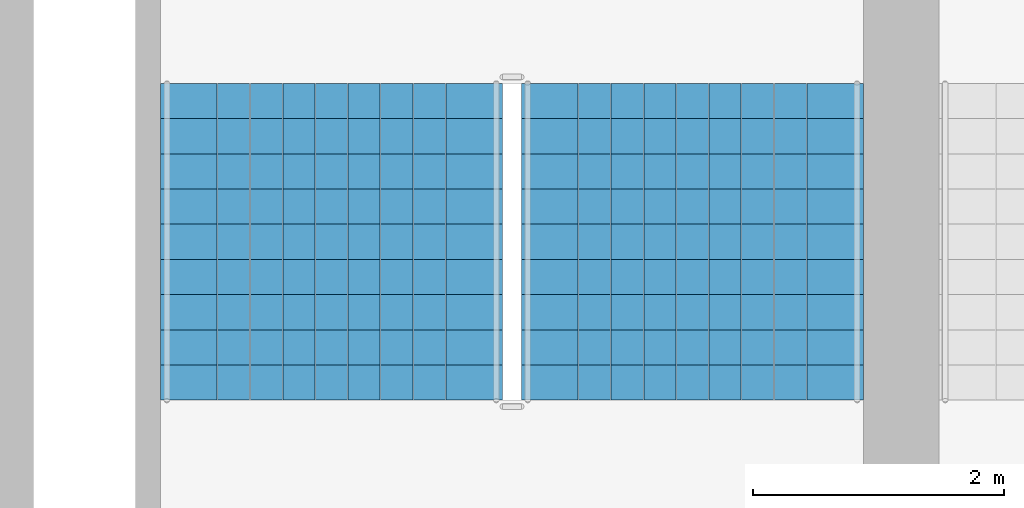
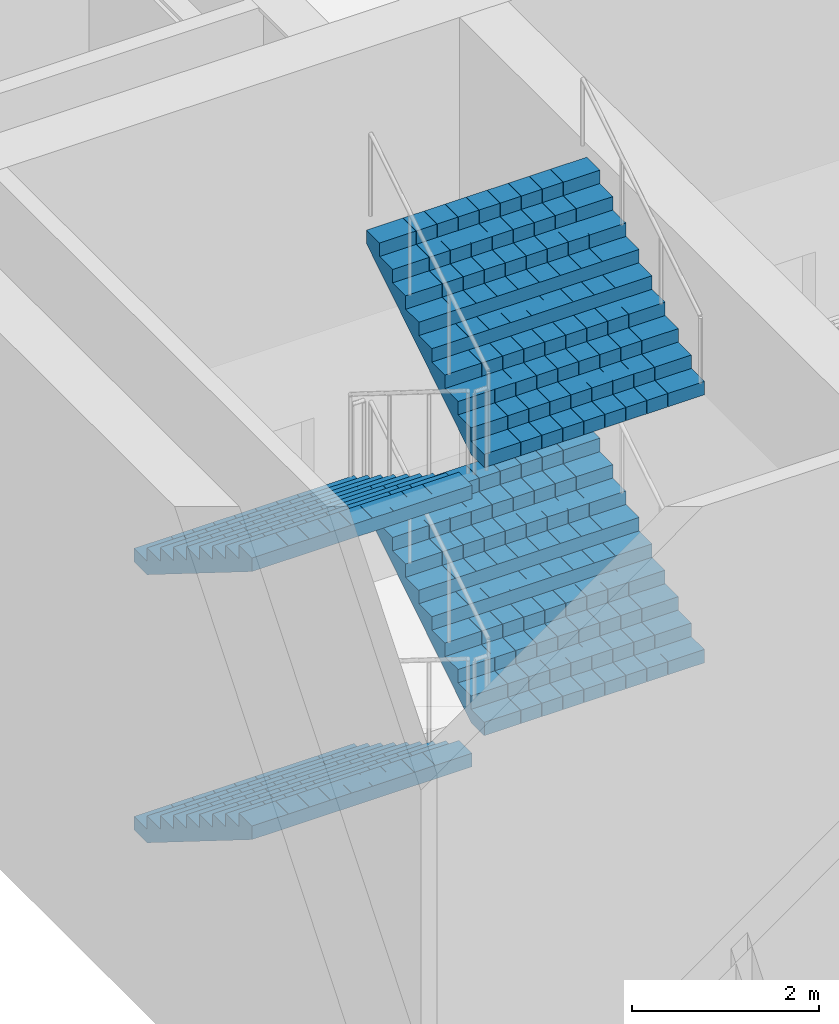
# One storey, part 41 of 62: 4 stair flights, 1 element without a shape of its own.
"""IFC4 building model written with IfcOpenShell, lengths in metres."""

from ifc_helpers import new_model, si_unit, direction, frame, origin, place, context, subcontext, project, spatial, polyline, outline, extrude, material, type_object, element, aggregate, save


model = new_model("IFC4")

# Units and contexts
model_context = context("Model", 3, precision=1e-05, world=origin(), true_north=direction((0.0, 1.0)))
body_context = subcontext(model_context, "Body", "Model", "MODEL_VIEW")
ifc_project = project(units=[si_unit("LENGTHUNIT", "METRE"), si_unit("AREAUNIT", "SQUARE_METRE"), si_unit("VOLUMEUNIT", "CUBIC_METRE"), si_unit("PLANEANGLEUNIT", "RADIAN"), si_unit("MASSUNIT", "GRAM", prefix="KILO")], contexts=[model_context])

# Site, building, storey
site_placement = place(None, origin())
site = spatial("IfcSite", under=ifc_project, at=site_placement, CompositionType="ELEMENT")
building_placement = place(site_placement, origin())
building = spatial("IfcBuilding", under=site, at=building_placement, Name="Corbelhall Arena Tower", CompositionType="ELEMENT")
storey_placement = place(building_placement, frame((0.0, 0.0, 12.0)))
storey = spatial("IfcBuildingStorey", under=building, at=storey_placement, Name="L01", CompositionType="ELEMENT", Elevation=12.0)

# Stair, stair flights
ifc_material = material(Name="Reinforced concrete C40/50", Category="concrete")
stair_type = type_object("IfcStairType", Name="AR-EXIT-STAIR", PredefinedType="HALF_TURN_STAIR", material=ifc_material)
stair_placement = place(storey_placement, origin())
stair = element("IfcStair", 1, at=stair_placement, inside=storey, type_object=stair_type, Name="L01 exit stair AS8", PredefinedType="HALF_TURN_STAIR")
stair_flight_type = type_object("IfcStairFlightType", Name="AR-EXIT-FLIGHT", PredefinedType="STRAIGHT", material=ifc_material)
stair_flight_1_placement = place(storey_placement, frame((-45.030029296875, -27.320068359375, 0.0), z_axis=(0.0, 0.0, 1.0), x_axis=(0.0, -1.0, 0.0)))
stair_flight_1 = element("IfcStairFlight", 2, at=stair_flight_1_placement, type_object=stair_flight_type, Name="AS8 flight 1", NumberOfRisers=10, NumberOfTreads=9, PredefinedType="STRAIGHT", RiserHeight=0.175, TreadLength=0.28, context=body_context, shape_type="SweptSolid", body=[
    extrude(outline(polyline([(0.0, 0.0), (0.0, 0.175048828125), (0.280029296875, 0.175048828125), (0.280029296875, 0.35009765625), (0.56005859375, 0.35009765625), (0.56005859375, 0.52490234375), (0.840087890625, 0.52490234375), (0.840087890625, 0.699951171875), (1.1201171875, 0.699951171875), (1.1201171875, 0.875), (1.39990234375, 0.875), (1.39990234375, 1.050048828125), (1.679931640625, 1.050048828125), (1.679931640625, 1.22509765625), (1.9599609375, 1.22509765625), (1.9599609375, 1.39990234375), (2.239990234375, 1.39990234375), (2.239990234375, 1.574951171875), (2.52001953125, 1.574951171875), (2.52001953125, 1.75), (2.52001953125, 1.398193359375), (0.28271484375, 0.0), (0.0, 0.0)])), frame((0.0, 1.35986328125, 0.0), z_axis=(0.0, -1.0, 0.0), x_axis=(1.0, 0.0, 0.0)), (0.0, 0.0, 1.0), 0.449951171875),
    extrude(outline(polyline([(0.0, 0.0), (0.0, 0.175048828125), (0.280029296875, 0.175048828125), (0.280029296875, 0.35009765625), (0.56005859375, 0.35009765625), (0.56005859375, 0.52490234375), (0.840087890625, 0.52490234375), (0.840087890625, 0.699951171875), (1.1201171875, 0.699951171875), (1.1201171875, 0.875), (1.39990234375, 0.875), (1.39990234375, 1.050048828125), (1.679931640625, 1.050048828125), (1.679931640625, 1.22509765625), (1.9599609375, 1.22509765625), (1.9599609375, 1.39990234375), (2.239990234375, 1.39990234375), (2.239990234375, 1.574951171875), (2.52001953125, 1.574951171875), (2.52001953125, 1.75), (2.52001953125, 1.398193359375), (0.28271484375, 0.0), (0.0, 0.0)])), frame((0.0, 0.906005859375, 0.0), z_axis=(0.0, -1.0, 0.0), x_axis=(1.0, 0.0, 0.0)), (0.0, 0.0, 1.0), 0.25537109375),
    extrude(outline(polyline([(0.0, 0.0), (0.0, 0.175048828125), (0.280029296875, 0.175048828125), (0.280029296875, 0.35009765625), (0.56005859375, 0.35009765625), (0.56005859375, 0.52490234375), (0.840087890625, 0.52490234375), (0.840087890625, 0.699951171875), (1.1201171875, 0.699951171875), (1.1201171875, 0.875), (1.39990234375, 0.875), (1.39990234375, 1.050048828125), (1.679931640625, 1.050048828125), (1.679931640625, 1.22509765625), (1.9599609375, 1.22509765625), (1.9599609375, 1.39990234375), (2.239990234375, 1.39990234375), (2.239990234375, 1.574951171875), (2.52001953125, 1.574951171875), (2.52001953125, 1.75), (2.52001953125, 1.398193359375), (0.28271484375, 0.0), (0.0, 0.0)])), frame((0.0, 0.646484375, 0.0), z_axis=(0.0, -1.0, 0.0), x_axis=(1.0, 0.0, 0.0)), (0.0, 0.0, 1.0), 0.25537109375),
    extrude(outline(polyline([(0.0, 0.0), (0.0, 0.175048828125), (0.280029296875, 0.175048828125), (0.280029296875, 0.35009765625), (0.56005859375, 0.35009765625), (0.56005859375, 0.52490234375), (0.840087890625, 0.52490234375), (0.840087890625, 0.699951171875), (1.1201171875, 0.699951171875), (1.1201171875, 0.875), (1.39990234375, 0.875), (1.39990234375, 1.050048828125), (1.679931640625, 1.050048828125), (1.679931640625, 1.22509765625), (1.9599609375, 1.22509765625), (1.9599609375, 1.39990234375), (2.239990234375, 1.39990234375), (2.239990234375, 1.574951171875), (2.52001953125, 1.574951171875), (2.52001953125, 1.75), (2.52001953125, 1.398193359375), (0.28271484375, 0.0), (0.0, 0.0)])), frame((0.0, 0.38720703125, 0.0), z_axis=(0.0, -1.0, 0.0), x_axis=(1.0, 0.0, 0.0)), (0.0, 0.0, 1.0), 0.25537109375),
    extrude(outline(polyline([(0.0, 0.0), (0.0, 0.175048828125), (0.280029296875, 0.175048828125), (0.280029296875, 0.35009765625), (0.56005859375, 0.35009765625), (0.56005859375, 0.52490234375), (0.840087890625, 0.52490234375), (0.840087890625, 0.699951171875), (1.1201171875, 0.699951171875), (1.1201171875, 0.875), (1.39990234375, 0.875), (1.39990234375, 1.050048828125), (1.679931640625, 1.050048828125), (1.679931640625, 1.22509765625), (1.9599609375, 1.22509765625), (1.9599609375, 1.39990234375), (2.239990234375, 1.39990234375), (2.239990234375, 1.574951171875), (2.52001953125, 1.574951171875), (2.52001953125, 1.75), (2.52001953125, 1.398193359375), (0.28271484375, 0.0), (0.0, 0.0)])), frame((0.0, 0.127685546875, 0.0), z_axis=(0.0, -1.0, 0.0), x_axis=(1.0, 0.0, 0.0)), (0.0, 0.0, 1.0), 0.25537109375),
    extrude(outline(polyline([(0.0, 0.0), (0.0, 0.175048828125), (0.280029296875, 0.175048828125), (0.280029296875, 0.35009765625), (0.56005859375, 0.35009765625), (0.56005859375, 0.52490234375), (0.840087890625, 0.52490234375), (0.840087890625, 0.699951171875), (1.1201171875, 0.699951171875), (1.1201171875, 0.875), (1.39990234375, 0.875), (1.39990234375, 1.050048828125), (1.679931640625, 1.050048828125), (1.679931640625, 1.22509765625), (1.9599609375, 1.22509765625), (1.9599609375, 1.39990234375), (2.239990234375, 1.39990234375), (2.239990234375, 1.574951171875), (2.52001953125, 1.574951171875), (2.52001953125, 1.75), (2.52001953125, 1.398193359375), (0.28271484375, 0.0), (0.0, 0.0)])), frame((0.0, -0.131591796875, 0.0), z_axis=(0.0, -1.0, 0.0), x_axis=(1.0, 0.0, 0.0)), (0.0, 0.0, 1.0), 0.25537109375),
    extrude(outline(polyline([(0.0, 0.0), (0.0, 0.175048828125), (0.280029296875, 0.175048828125), (0.280029296875, 0.35009765625), (0.56005859375, 0.35009765625), (0.56005859375, 0.52490234375), (0.840087890625, 0.52490234375), (0.840087890625, 0.699951171875), (1.1201171875, 0.699951171875), (1.1201171875, 0.875), (1.39990234375, 0.875), (1.39990234375, 1.050048828125), (1.679931640625, 1.050048828125), (1.679931640625, 1.22509765625), (1.9599609375, 1.22509765625), (1.9599609375, 1.39990234375), (2.239990234375, 1.39990234375), (2.239990234375, 1.574951171875), (2.52001953125, 1.574951171875), (2.52001953125, 1.75), (2.52001953125, 1.398193359375), (0.28271484375, 0.0), (0.0, 0.0)])), frame((0.0, -0.39111328125, 0.0), z_axis=(0.0, -1.0, 0.0), x_axis=(1.0, 0.0, 0.0)), (0.0, 0.0, 1.0), 0.25537109375),
    extrude(outline(polyline([(0.0, 0.0), (0.0, 0.175048828125), (0.280029296875, 0.175048828125), (0.280029296875, 0.35009765625), (0.56005859375, 0.35009765625), (0.56005859375, 0.52490234375), (0.840087890625, 0.52490234375), (0.840087890625, 0.699951171875), (1.1201171875, 0.699951171875), (1.1201171875, 0.875), (1.39990234375, 0.875), (1.39990234375, 1.050048828125), (1.679931640625, 1.050048828125), (1.679931640625, 1.22509765625), (1.9599609375, 1.22509765625), (1.9599609375, 1.39990234375), (2.239990234375, 1.39990234375), (2.239990234375, 1.574951171875), (2.52001953125, 1.574951171875), (2.52001953125, 1.75), (2.52001953125, 1.398193359375), (0.28271484375, 0.0), (0.0, 0.0)])), frame((0.0, -0.650634765625, 0.0), z_axis=(0.0, -1.0, 0.0), x_axis=(1.0, 0.0, 0.0)), (0.0, 0.0, 1.0), 0.25537109375),
    extrude(outline(polyline([(0.0, 0.0), (0.0, 0.175048828125), (0.280029296875, 0.175048828125), (0.280029296875, 0.35009765625), (0.56005859375, 0.35009765625), (0.56005859375, 0.52490234375), (0.840087890625, 0.52490234375), (0.840087890625, 0.699951171875), (1.1201171875, 0.699951171875), (1.1201171875, 0.875), (1.39990234375, 0.875), (1.39990234375, 1.050048828125), (1.679931640625, 1.050048828125), (1.679931640625, 1.22509765625), (1.9599609375, 1.22509765625), (1.9599609375, 1.39990234375), (2.239990234375, 1.39990234375), (2.239990234375, 1.574951171875), (2.52001953125, 1.574951171875), (2.52001953125, 1.75), (2.52001953125, 1.398193359375), (0.28271484375, 0.0), (0.0, 0.0)])), frame((0.0, -0.909912109375, 0.0), z_axis=(0.0, -1.0, 0.0), x_axis=(1.0, 0.0, 0.0)), (0.0, 0.0, 1.0), 0.449951171875),
])
stair_flight_2_placement = place(storey_placement, frame((-42.159912109375, -29.840087890625, 1.75), z_axis=(0.0, 0.0, 1.0), x_axis=(0.0, 1.0, 0.0)))
stair_flight_2 = element("IfcStairFlight", 3, at=stair_flight_2_placement, type_object=stair_flight_type, Name="AS8 flight 2", NumberOfRisers=10, NumberOfTreads=9, PredefinedType="STRAIGHT", RiserHeight=0.175, TreadLength=0.28, context=body_context, shape_type="SweptSolid", body=[
    extrude(outline(polyline([(0.0, 0.0), (0.0, 0.175048828125), (0.280029296875, 0.175048828125), (0.280029296875, 0.35009765625), (0.56005859375, 0.35009765625), (0.56005859375, 0.52490234375), (0.840087890625, 0.52490234375), (0.840087890625, 0.699951171875), (1.1201171875, 0.699951171875), (1.1201171875, 0.875), (1.39990234375, 0.875), (1.39990234375, 1.050048828125), (1.679931640625, 1.050048828125), (1.679931640625, 1.22509765625), (1.9599609375, 1.22509765625), (1.9599609375, 1.39990234375), (2.239990234375, 1.39990234375), (2.239990234375, 1.574951171875), (2.52001953125, 1.574951171875), (2.52001953125, 1.75), (2.52001953125, 1.398193359375), (0.28271484375, 0.0), (0.0, 0.0)])), frame((0.0, 1.35986328125, 0.0), z_axis=(0.0, -1.0, 0.0), x_axis=(1.0, 0.0, 0.0)), (0.0, 0.0, 1.0), 0.449951171875),
    extrude(outline(polyline([(0.0, 0.0), (0.0, 0.175048828125), (0.280029296875, 0.175048828125), (0.280029296875, 0.35009765625), (0.56005859375, 0.35009765625), (0.56005859375, 0.52490234375), (0.840087890625, 0.52490234375), (0.840087890625, 0.699951171875), (1.1201171875, 0.699951171875), (1.1201171875, 0.875), (1.39990234375, 0.875), (1.39990234375, 1.050048828125), (1.679931640625, 1.050048828125), (1.679931640625, 1.22509765625), (1.9599609375, 1.22509765625), (1.9599609375, 1.39990234375), (2.239990234375, 1.39990234375), (2.239990234375, 1.574951171875), (2.52001953125, 1.574951171875), (2.52001953125, 1.75), (2.52001953125, 1.398193359375), (0.28271484375, 0.0), (0.0, 0.0)])), frame((0.0, 0.906005859375, 0.0), z_axis=(0.0, -1.0, 0.0), x_axis=(1.0, 0.0, 0.0)), (0.0, 0.0, 1.0), 0.25537109375),
    extrude(outline(polyline([(0.0, 0.0), (0.0, 0.175048828125), (0.280029296875, 0.175048828125), (0.280029296875, 0.35009765625), (0.56005859375, 0.35009765625), (0.56005859375, 0.52490234375), (0.840087890625, 0.52490234375), (0.840087890625, 0.699951171875), (1.1201171875, 0.699951171875), (1.1201171875, 0.875), (1.39990234375, 0.875), (1.39990234375, 1.050048828125), (1.679931640625, 1.050048828125), (1.679931640625, 1.22509765625), (1.9599609375, 1.22509765625), (1.9599609375, 1.39990234375), (2.239990234375, 1.39990234375), (2.239990234375, 1.574951171875), (2.52001953125, 1.574951171875), (2.52001953125, 1.75), (2.52001953125, 1.398193359375), (0.28271484375, 0.0), (0.0, 0.0)])), frame((0.0, 0.646484375, 0.0), z_axis=(0.0, -1.0, 0.0), x_axis=(1.0, 0.0, 0.0)), (0.0, 0.0, 1.0), 0.25537109375),
    extrude(outline(polyline([(0.0, 0.0), (0.0, 0.175048828125), (0.280029296875, 0.175048828125), (0.280029296875, 0.35009765625), (0.56005859375, 0.35009765625), (0.56005859375, 0.52490234375), (0.840087890625, 0.52490234375), (0.840087890625, 0.699951171875), (1.1201171875, 0.699951171875), (1.1201171875, 0.875), (1.39990234375, 0.875), (1.39990234375, 1.050048828125), (1.679931640625, 1.050048828125), (1.679931640625, 1.22509765625), (1.9599609375, 1.22509765625), (1.9599609375, 1.39990234375), (2.239990234375, 1.39990234375), (2.239990234375, 1.574951171875), (2.52001953125, 1.574951171875), (2.52001953125, 1.75), (2.52001953125, 1.398193359375), (0.28271484375, 0.0), (0.0, 0.0)])), frame((0.0, 0.38720703125, 0.0), z_axis=(0.0, -1.0, 0.0), x_axis=(1.0, 0.0, 0.0)), (0.0, 0.0, 1.0), 0.25537109375),
    extrude(outline(polyline([(0.0, 0.0), (0.0, 0.175048828125), (0.280029296875, 0.175048828125), (0.280029296875, 0.35009765625), (0.56005859375, 0.35009765625), (0.56005859375, 0.52490234375), (0.840087890625, 0.52490234375), (0.840087890625, 0.699951171875), (1.1201171875, 0.699951171875), (1.1201171875, 0.875), (1.39990234375, 0.875), (1.39990234375, 1.050048828125), (1.679931640625, 1.050048828125), (1.679931640625, 1.22509765625), (1.9599609375, 1.22509765625), (1.9599609375, 1.39990234375), (2.239990234375, 1.39990234375), (2.239990234375, 1.574951171875), (2.52001953125, 1.574951171875), (2.52001953125, 1.75), (2.52001953125, 1.398193359375), (0.28271484375, 0.0), (0.0, 0.0)])), frame((0.0, 0.127685546875, 0.0), z_axis=(0.0, -1.0, 0.0), x_axis=(1.0, 0.0, 0.0)), (0.0, 0.0, 1.0), 0.25537109375),
    extrude(outline(polyline([(0.0, 0.0), (0.0, 0.175048828125), (0.280029296875, 0.175048828125), (0.280029296875, 0.35009765625), (0.56005859375, 0.35009765625), (0.56005859375, 0.52490234375), (0.840087890625, 0.52490234375), (0.840087890625, 0.699951171875), (1.1201171875, 0.699951171875), (1.1201171875, 0.875), (1.39990234375, 0.875), (1.39990234375, 1.050048828125), (1.679931640625, 1.050048828125), (1.679931640625, 1.22509765625), (1.9599609375, 1.22509765625), (1.9599609375, 1.39990234375), (2.239990234375, 1.39990234375), (2.239990234375, 1.574951171875), (2.52001953125, 1.574951171875), (2.52001953125, 1.75), (2.52001953125, 1.398193359375), (0.28271484375, 0.0), (0.0, 0.0)])), frame((0.0, -0.131591796875, 0.0), z_axis=(0.0, -1.0, 0.0), x_axis=(1.0, 0.0, 0.0)), (0.0, 0.0, 1.0), 0.25537109375),
    extrude(outline(polyline([(0.0, 0.0), (0.0, 0.175048828125), (0.280029296875, 0.175048828125), (0.280029296875, 0.35009765625), (0.56005859375, 0.35009765625), (0.56005859375, 0.52490234375), (0.840087890625, 0.52490234375), (0.840087890625, 0.699951171875), (1.1201171875, 0.699951171875), (1.1201171875, 0.875), (1.39990234375, 0.875), (1.39990234375, 1.050048828125), (1.679931640625, 1.050048828125), (1.679931640625, 1.22509765625), (1.9599609375, 1.22509765625), (1.9599609375, 1.39990234375), (2.239990234375, 1.39990234375), (2.239990234375, 1.574951171875), (2.52001953125, 1.574951171875), (2.52001953125, 1.75), (2.52001953125, 1.398193359375), (0.28271484375, 0.0), (0.0, 0.0)])), frame((0.0, -0.39111328125, 0.0), z_axis=(0.0, -1.0, 0.0), x_axis=(1.0, 0.0, 0.0)), (0.0, 0.0, 1.0), 0.25537109375),
    extrude(outline(polyline([(0.0, 0.0), (0.0, 0.175048828125), (0.280029296875, 0.175048828125), (0.280029296875, 0.35009765625), (0.56005859375, 0.35009765625), (0.56005859375, 0.52490234375), (0.840087890625, 0.52490234375), (0.840087890625, 0.699951171875), (1.1201171875, 0.699951171875), (1.1201171875, 0.875), (1.39990234375, 0.875), (1.39990234375, 1.050048828125), (1.679931640625, 1.050048828125), (1.679931640625, 1.22509765625), (1.9599609375, 1.22509765625), (1.9599609375, 1.39990234375), (2.239990234375, 1.39990234375), (2.239990234375, 1.574951171875), (2.52001953125, 1.574951171875), (2.52001953125, 1.75), (2.52001953125, 1.398193359375), (0.28271484375, 0.0), (0.0, 0.0)])), frame((0.0, -0.650634765625, 0.0), z_axis=(0.0, -1.0, 0.0), x_axis=(1.0, 0.0, 0.0)), (0.0, 0.0, 1.0), 0.25537109375),
    extrude(outline(polyline([(0.0, 0.0), (0.0, 0.175048828125), (0.280029296875, 0.175048828125), (0.280029296875, 0.35009765625), (0.56005859375, 0.35009765625), (0.56005859375, 0.52490234375), (0.840087890625, 0.52490234375), (0.840087890625, 0.699951171875), (1.1201171875, 0.699951171875), (1.1201171875, 0.875), (1.39990234375, 0.875), (1.39990234375, 1.050048828125), (1.679931640625, 1.050048828125), (1.679931640625, 1.22509765625), (1.9599609375, 1.22509765625), (1.9599609375, 1.39990234375), (2.239990234375, 1.39990234375), (2.239990234375, 1.574951171875), (2.52001953125, 1.574951171875), (2.52001953125, 1.75), (2.52001953125, 1.398193359375), (0.28271484375, 0.0), (0.0, 0.0)])), frame((0.0, -0.909912109375, 0.0), z_axis=(0.0, -1.0, 0.0), x_axis=(1.0, 0.0, 0.0)), (0.0, 0.0, 1.0), 0.449951171875),
])
stair_flight_3_placement = place(storey_placement, frame((-45.030029296875, -27.320068359375, 3.5), z_axis=(0.0, 0.0, 1.0), x_axis=(0.0, -1.0, 0.0)))
stair_flight_3 = element("IfcStairFlight", 4, at=stair_flight_3_placement, type_object=stair_flight_type, Name="AS8 flight 3", NumberOfRisers=10, NumberOfTreads=9, PredefinedType="STRAIGHT", RiserHeight=0.175, TreadLength=0.28, context=body_context, shape_type="SweptSolid", body=[
    extrude(outline(polyline([(0.0, 0.0), (0.0, 0.175048828125), (0.280029296875, 0.175048828125), (0.280029296875, 0.35009765625), (0.56005859375, 0.35009765625), (0.56005859375, 0.52490234375), (0.840087890625, 0.52490234375), (0.840087890625, 0.699951171875), (1.1201171875, 0.699951171875), (1.1201171875, 0.875), (1.39990234375, 0.875), (1.39990234375, 1.050048828125), (1.679931640625, 1.050048828125), (1.679931640625, 1.22509765625), (1.9599609375, 1.22509765625), (1.9599609375, 1.39990234375), (2.239990234375, 1.39990234375), (2.239990234375, 1.574951171875), (2.52001953125, 1.574951171875), (2.52001953125, 1.75), (2.52001953125, 1.398193359375), (0.28271484375, 0.0), (0.0, 0.0)])), frame((0.0, 1.35986328125, 0.0), z_axis=(0.0, -1.0, 0.0), x_axis=(1.0, 0.0, 0.0)), (0.0, 0.0, 1.0), 0.449951171875),
    extrude(outline(polyline([(0.0, 0.0), (0.0, 0.175048828125), (0.280029296875, 0.175048828125), (0.280029296875, 0.35009765625), (0.56005859375, 0.35009765625), (0.56005859375, 0.52490234375), (0.840087890625, 0.52490234375), (0.840087890625, 0.699951171875), (1.1201171875, 0.699951171875), (1.1201171875, 0.875), (1.39990234375, 0.875), (1.39990234375, 1.050048828125), (1.679931640625, 1.050048828125), (1.679931640625, 1.22509765625), (1.9599609375, 1.22509765625), (1.9599609375, 1.39990234375), (2.239990234375, 1.39990234375), (2.239990234375, 1.574951171875), (2.52001953125, 1.574951171875), (2.52001953125, 1.75), (2.52001953125, 1.398193359375), (0.28271484375, 0.0), (0.0, 0.0)])), frame((0.0, 0.906005859375, 0.0), z_axis=(0.0, -1.0, 0.0), x_axis=(1.0, 0.0, 0.0)), (0.0, 0.0, 1.0), 0.25537109375),
    extrude(outline(polyline([(0.0, 0.0), (0.0, 0.175048828125), (0.280029296875, 0.175048828125), (0.280029296875, 0.35009765625), (0.56005859375, 0.35009765625), (0.56005859375, 0.52490234375), (0.840087890625, 0.52490234375), (0.840087890625, 0.699951171875), (1.1201171875, 0.699951171875), (1.1201171875, 0.875), (1.39990234375, 0.875), (1.39990234375, 1.050048828125), (1.679931640625, 1.050048828125), (1.679931640625, 1.22509765625), (1.9599609375, 1.22509765625), (1.9599609375, 1.39990234375), (2.239990234375, 1.39990234375), (2.239990234375, 1.574951171875), (2.52001953125, 1.574951171875), (2.52001953125, 1.75), (2.52001953125, 1.398193359375), (0.28271484375, 0.0), (0.0, 0.0)])), frame((0.0, 0.646484375, 0.0), z_axis=(0.0, -1.0, 0.0), x_axis=(1.0, 0.0, 0.0)), (0.0, 0.0, 1.0), 0.25537109375),
    extrude(outline(polyline([(0.0, 0.0), (0.0, 0.175048828125), (0.280029296875, 0.175048828125), (0.280029296875, 0.35009765625), (0.56005859375, 0.35009765625), (0.56005859375, 0.52490234375), (0.840087890625, 0.52490234375), (0.840087890625, 0.699951171875), (1.1201171875, 0.699951171875), (1.1201171875, 0.875), (1.39990234375, 0.875), (1.39990234375, 1.050048828125), (1.679931640625, 1.050048828125), (1.679931640625, 1.22509765625), (1.9599609375, 1.22509765625), (1.9599609375, 1.39990234375), (2.239990234375, 1.39990234375), (2.239990234375, 1.574951171875), (2.52001953125, 1.574951171875), (2.52001953125, 1.75), (2.52001953125, 1.398193359375), (0.28271484375, 0.0), (0.0, 0.0)])), frame((0.0, 0.38720703125, 0.0), z_axis=(0.0, -1.0, 0.0), x_axis=(1.0, 0.0, 0.0)), (0.0, 0.0, 1.0), 0.25537109375),
    extrude(outline(polyline([(0.0, 0.0), (0.0, 0.175048828125), (0.280029296875, 0.175048828125), (0.280029296875, 0.35009765625), (0.56005859375, 0.35009765625), (0.56005859375, 0.52490234375), (0.840087890625, 0.52490234375), (0.840087890625, 0.699951171875), (1.1201171875, 0.699951171875), (1.1201171875, 0.875), (1.39990234375, 0.875), (1.39990234375, 1.050048828125), (1.679931640625, 1.050048828125), (1.679931640625, 1.22509765625), (1.9599609375, 1.22509765625), (1.9599609375, 1.39990234375), (2.239990234375, 1.39990234375), (2.239990234375, 1.574951171875), (2.52001953125, 1.574951171875), (2.52001953125, 1.75), (2.52001953125, 1.398193359375), (0.28271484375, 0.0), (0.0, 0.0)])), frame((0.0, 0.127685546875, 0.0), z_axis=(0.0, -1.0, 0.0), x_axis=(1.0, 0.0, 0.0)), (0.0, 0.0, 1.0), 0.25537109375),
    extrude(outline(polyline([(0.0, 0.0), (0.0, 0.175048828125), (0.280029296875, 0.175048828125), (0.280029296875, 0.35009765625), (0.56005859375, 0.35009765625), (0.56005859375, 0.52490234375), (0.840087890625, 0.52490234375), (0.840087890625, 0.699951171875), (1.1201171875, 0.699951171875), (1.1201171875, 0.875), (1.39990234375, 0.875), (1.39990234375, 1.050048828125), (1.679931640625, 1.050048828125), (1.679931640625, 1.22509765625), (1.9599609375, 1.22509765625), (1.9599609375, 1.39990234375), (2.239990234375, 1.39990234375), (2.239990234375, 1.574951171875), (2.52001953125, 1.574951171875), (2.52001953125, 1.75), (2.52001953125, 1.398193359375), (0.28271484375, 0.0), (0.0, 0.0)])), frame((0.0, -0.131591796875, 0.0), z_axis=(0.0, -1.0, 0.0), x_axis=(1.0, 0.0, 0.0)), (0.0, 0.0, 1.0), 0.25537109375),
    extrude(outline(polyline([(0.0, 0.0), (0.0, 0.175048828125), (0.280029296875, 0.175048828125), (0.280029296875, 0.35009765625), (0.56005859375, 0.35009765625), (0.56005859375, 0.52490234375), (0.840087890625, 0.52490234375), (0.840087890625, 0.699951171875), (1.1201171875, 0.699951171875), (1.1201171875, 0.875), (1.39990234375, 0.875), (1.39990234375, 1.050048828125), (1.679931640625, 1.050048828125), (1.679931640625, 1.22509765625), (1.9599609375, 1.22509765625), (1.9599609375, 1.39990234375), (2.239990234375, 1.39990234375), (2.239990234375, 1.574951171875), (2.52001953125, 1.574951171875), (2.52001953125, 1.75), (2.52001953125, 1.398193359375), (0.28271484375, 0.0), (0.0, 0.0)])), frame((0.0, -0.39111328125, 0.0), z_axis=(0.0, -1.0, 0.0), x_axis=(1.0, 0.0, 0.0)), (0.0, 0.0, 1.0), 0.25537109375),
    extrude(outline(polyline([(0.0, 0.0), (0.0, 0.175048828125), (0.280029296875, 0.175048828125), (0.280029296875, 0.35009765625), (0.56005859375, 0.35009765625), (0.56005859375, 0.52490234375), (0.840087890625, 0.52490234375), (0.840087890625, 0.699951171875), (1.1201171875, 0.699951171875), (1.1201171875, 0.875), (1.39990234375, 0.875), (1.39990234375, 1.050048828125), (1.679931640625, 1.050048828125), (1.679931640625, 1.22509765625), (1.9599609375, 1.22509765625), (1.9599609375, 1.39990234375), (2.239990234375, 1.39990234375), (2.239990234375, 1.574951171875), (2.52001953125, 1.574951171875), (2.52001953125, 1.75), (2.52001953125, 1.398193359375), (0.28271484375, 0.0), (0.0, 0.0)])), frame((0.0, -0.650634765625, 0.0), z_axis=(0.0, -1.0, 0.0), x_axis=(1.0, 0.0, 0.0)), (0.0, 0.0, 1.0), 0.25537109375),
    extrude(outline(polyline([(0.0, 0.0), (0.0, 0.175048828125), (0.280029296875, 0.175048828125), (0.280029296875, 0.35009765625), (0.56005859375, 0.35009765625), (0.56005859375, 0.52490234375), (0.840087890625, 0.52490234375), (0.840087890625, 0.699951171875), (1.1201171875, 0.699951171875), (1.1201171875, 0.875), (1.39990234375, 0.875), (1.39990234375, 1.050048828125), (1.679931640625, 1.050048828125), (1.679931640625, 1.22509765625), (1.9599609375, 1.22509765625), (1.9599609375, 1.39990234375), (2.239990234375, 1.39990234375), (2.239990234375, 1.574951171875), (2.52001953125, 1.574951171875), (2.52001953125, 1.75), (2.52001953125, 1.398193359375), (0.28271484375, 0.0), (0.0, 0.0)])), frame((0.0, -0.909912109375, 0.0), z_axis=(0.0, -1.0, 0.0), x_axis=(1.0, 0.0, 0.0)), (0.0, 0.0, 1.0), 0.449951171875),
])
stair_flight_4_placement = place(storey_placement, frame((-42.159912109375, -29.840087890625, 5.25), z_axis=(0.0, 0.0, 1.0), x_axis=(0.0, 1.0, 0.0)))
stair_flight_4 = element("IfcStairFlight", 5, at=stair_flight_4_placement, type_object=stair_flight_type, Name="AS8 flight 4", NumberOfRisers=10, NumberOfTreads=9, PredefinedType="STRAIGHT", RiserHeight=0.175, TreadLength=0.28, context=body_context, shape_type="SweptSolid", body=[
    extrude(outline(polyline([(0.0, 0.0), (0.0, 0.175048828125), (0.280029296875, 0.175048828125), (0.280029296875, 0.35009765625), (0.56005859375, 0.35009765625), (0.56005859375, 0.52490234375), (0.840087890625, 0.52490234375), (0.840087890625, 0.699951171875), (1.1201171875, 0.699951171875), (1.1201171875, 0.875), (1.39990234375, 0.875), (1.39990234375, 1.050048828125), (1.679931640625, 1.050048828125), (1.679931640625, 1.22509765625), (1.9599609375, 1.22509765625), (1.9599609375, 1.39990234375), (2.239990234375, 1.39990234375), (2.239990234375, 1.574951171875), (2.52001953125, 1.574951171875), (2.52001953125, 1.75), (2.52001953125, 1.398193359375), (0.28271484375, 0.0), (0.0, 0.0)])), frame((0.0, 1.35986328125, 0.0), z_axis=(0.0, -1.0, 0.0), x_axis=(1.0, 0.0, 0.0)), (0.0, 0.0, 1.0), 0.449951171875),
    extrude(outline(polyline([(0.0, 0.0), (0.0, 0.175048828125), (0.280029296875, 0.175048828125), (0.280029296875, 0.35009765625), (0.56005859375, 0.35009765625), (0.56005859375, 0.52490234375), (0.840087890625, 0.52490234375), (0.840087890625, 0.699951171875), (1.1201171875, 0.699951171875), (1.1201171875, 0.875), (1.39990234375, 0.875), (1.39990234375, 1.050048828125), (1.679931640625, 1.050048828125), (1.679931640625, 1.22509765625), (1.9599609375, 1.22509765625), (1.9599609375, 1.39990234375), (2.239990234375, 1.39990234375), (2.239990234375, 1.574951171875), (2.52001953125, 1.574951171875), (2.52001953125, 1.75), (2.52001953125, 1.398193359375), (0.28271484375, 0.0), (0.0, 0.0)])), frame((0.0, 0.906005859375, 0.0), z_axis=(0.0, -1.0, 0.0), x_axis=(1.0, 0.0, 0.0)), (0.0, 0.0, 1.0), 0.25537109375),
    extrude(outline(polyline([(0.0, 0.0), (0.0, 0.175048828125), (0.280029296875, 0.175048828125), (0.280029296875, 0.35009765625), (0.56005859375, 0.35009765625), (0.56005859375, 0.52490234375), (0.840087890625, 0.52490234375), (0.840087890625, 0.699951171875), (1.1201171875, 0.699951171875), (1.1201171875, 0.875), (1.39990234375, 0.875), (1.39990234375, 1.050048828125), (1.679931640625, 1.050048828125), (1.679931640625, 1.22509765625), (1.9599609375, 1.22509765625), (1.9599609375, 1.39990234375), (2.239990234375, 1.39990234375), (2.239990234375, 1.574951171875), (2.52001953125, 1.574951171875), (2.52001953125, 1.75), (2.52001953125, 1.398193359375), (0.28271484375, 0.0), (0.0, 0.0)])), frame((0.0, 0.646484375, 0.0), z_axis=(0.0, -1.0, 0.0), x_axis=(1.0, 0.0, 0.0)), (0.0, 0.0, 1.0), 0.25537109375),
    extrude(outline(polyline([(0.0, 0.0), (0.0, 0.175048828125), (0.280029296875, 0.175048828125), (0.280029296875, 0.35009765625), (0.56005859375, 0.35009765625), (0.56005859375, 0.52490234375), (0.840087890625, 0.52490234375), (0.840087890625, 0.699951171875), (1.1201171875, 0.699951171875), (1.1201171875, 0.875), (1.39990234375, 0.875), (1.39990234375, 1.050048828125), (1.679931640625, 1.050048828125), (1.679931640625, 1.22509765625), (1.9599609375, 1.22509765625), (1.9599609375, 1.39990234375), (2.239990234375, 1.39990234375), (2.239990234375, 1.574951171875), (2.52001953125, 1.574951171875), (2.52001953125, 1.75), (2.52001953125, 1.398193359375), (0.28271484375, 0.0), (0.0, 0.0)])), frame((0.0, 0.38720703125, 0.0), z_axis=(0.0, -1.0, 0.0), x_axis=(1.0, 0.0, 0.0)), (0.0, 0.0, 1.0), 0.25537109375),
    extrude(outline(polyline([(0.0, 0.0), (0.0, 0.175048828125), (0.280029296875, 0.175048828125), (0.280029296875, 0.35009765625), (0.56005859375, 0.35009765625), (0.56005859375, 0.52490234375), (0.840087890625, 0.52490234375), (0.840087890625, 0.699951171875), (1.1201171875, 0.699951171875), (1.1201171875, 0.875), (1.39990234375, 0.875), (1.39990234375, 1.050048828125), (1.679931640625, 1.050048828125), (1.679931640625, 1.22509765625), (1.9599609375, 1.22509765625), (1.9599609375, 1.39990234375), (2.239990234375, 1.39990234375), (2.239990234375, 1.574951171875), (2.52001953125, 1.574951171875), (2.52001953125, 1.75), (2.52001953125, 1.398193359375), (0.28271484375, 0.0), (0.0, 0.0)])), frame((0.0, 0.127685546875, 0.0), z_axis=(0.0, -1.0, 0.0), x_axis=(1.0, 0.0, 0.0)), (0.0, 0.0, 1.0), 0.25537109375),
    extrude(outline(polyline([(0.0, 0.0), (0.0, 0.175048828125), (0.280029296875, 0.175048828125), (0.280029296875, 0.35009765625), (0.56005859375, 0.35009765625), (0.56005859375, 0.52490234375), (0.840087890625, 0.52490234375), (0.840087890625, 0.699951171875), (1.1201171875, 0.699951171875), (1.1201171875, 0.875), (1.39990234375, 0.875), (1.39990234375, 1.050048828125), (1.679931640625, 1.050048828125), (1.679931640625, 1.22509765625), (1.9599609375, 1.22509765625), (1.9599609375, 1.39990234375), (2.239990234375, 1.39990234375), (2.239990234375, 1.574951171875), (2.52001953125, 1.574951171875), (2.52001953125, 1.75), (2.52001953125, 1.398193359375), (0.28271484375, 0.0), (0.0, 0.0)])), frame((0.0, -0.131591796875, 0.0), z_axis=(0.0, -1.0, 0.0), x_axis=(1.0, 0.0, 0.0)), (0.0, 0.0, 1.0), 0.25537109375),
    extrude(outline(polyline([(0.0, 0.0), (0.0, 0.175048828125), (0.280029296875, 0.175048828125), (0.280029296875, 0.35009765625), (0.56005859375, 0.35009765625), (0.56005859375, 0.52490234375), (0.840087890625, 0.52490234375), (0.840087890625, 0.699951171875), (1.1201171875, 0.699951171875), (1.1201171875, 0.875), (1.39990234375, 0.875), (1.39990234375, 1.050048828125), (1.679931640625, 1.050048828125), (1.679931640625, 1.22509765625), (1.9599609375, 1.22509765625), (1.9599609375, 1.39990234375), (2.239990234375, 1.39990234375), (2.239990234375, 1.574951171875), (2.52001953125, 1.574951171875), (2.52001953125, 1.75), (2.52001953125, 1.398193359375), (0.28271484375, 0.0), (0.0, 0.0)])), frame((0.0, -0.39111328125, 0.0), z_axis=(0.0, -1.0, 0.0), x_axis=(1.0, 0.0, 0.0)), (0.0, 0.0, 1.0), 0.25537109375),
    extrude(outline(polyline([(0.0, 0.0), (0.0, 0.175048828125), (0.280029296875, 0.175048828125), (0.280029296875, 0.35009765625), (0.56005859375, 0.35009765625), (0.56005859375, 0.52490234375), (0.840087890625, 0.52490234375), (0.840087890625, 0.699951171875), (1.1201171875, 0.699951171875), (1.1201171875, 0.875), (1.39990234375, 0.875), (1.39990234375, 1.050048828125), (1.679931640625, 1.050048828125), (1.679931640625, 1.22509765625), (1.9599609375, 1.22509765625), (1.9599609375, 1.39990234375), (2.239990234375, 1.39990234375), (2.239990234375, 1.574951171875), (2.52001953125, 1.574951171875), (2.52001953125, 1.75), (2.52001953125, 1.398193359375), (0.28271484375, 0.0), (0.0, 0.0)])), frame((0.0, -0.650634765625, 0.0), z_axis=(0.0, -1.0, 0.0), x_axis=(1.0, 0.0, 0.0)), (0.0, 0.0, 1.0), 0.25537109375),
    extrude(outline(polyline([(0.0, 0.0), (0.0, 0.175048828125), (0.280029296875, 0.175048828125), (0.280029296875, 0.35009765625), (0.56005859375, 0.35009765625), (0.56005859375, 0.52490234375), (0.840087890625, 0.52490234375), (0.840087890625, 0.699951171875), (1.1201171875, 0.699951171875), (1.1201171875, 0.875), (1.39990234375, 0.875), (1.39990234375, 1.050048828125), (1.679931640625, 1.050048828125), (1.679931640625, 1.22509765625), (1.9599609375, 1.22509765625), (1.9599609375, 1.39990234375), (2.239990234375, 1.39990234375), (2.239990234375, 1.574951171875), (2.52001953125, 1.574951171875), (2.52001953125, 1.75), (2.52001953125, 1.398193359375), (0.28271484375, 0.0), (0.0, 0.0)])), frame((0.0, -0.909912109375, 0.0), z_axis=(0.0, -1.0, 0.0), x_axis=(1.0, 0.0, 0.0)), (0.0, 0.0, 1.0), 0.449951171875),
])
aggregate(stair, [stair_flight_1, stair_flight_2, stair_flight_3, stair_flight_4])

save(model, "model.ifc")
